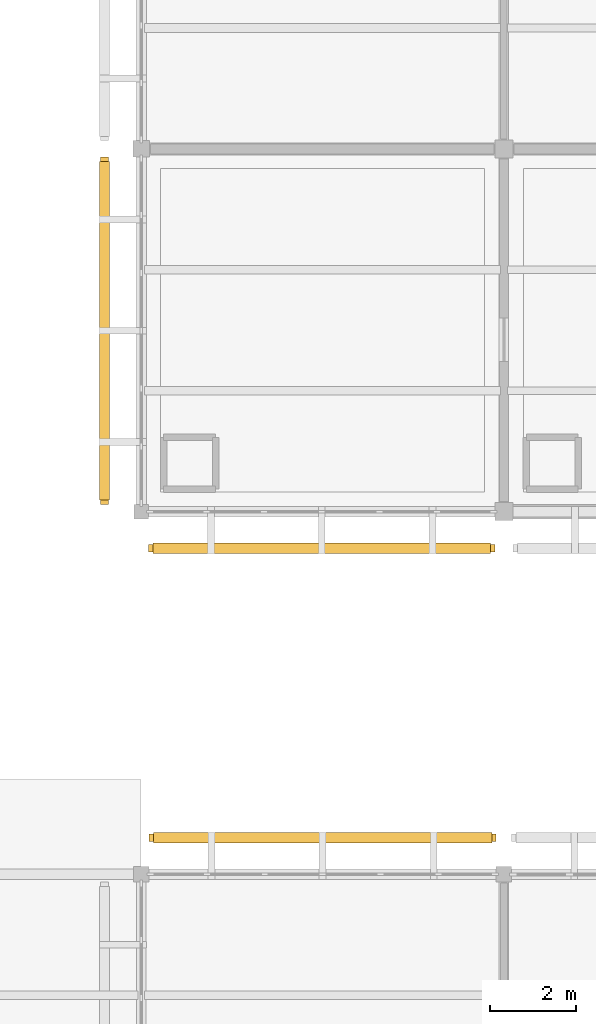
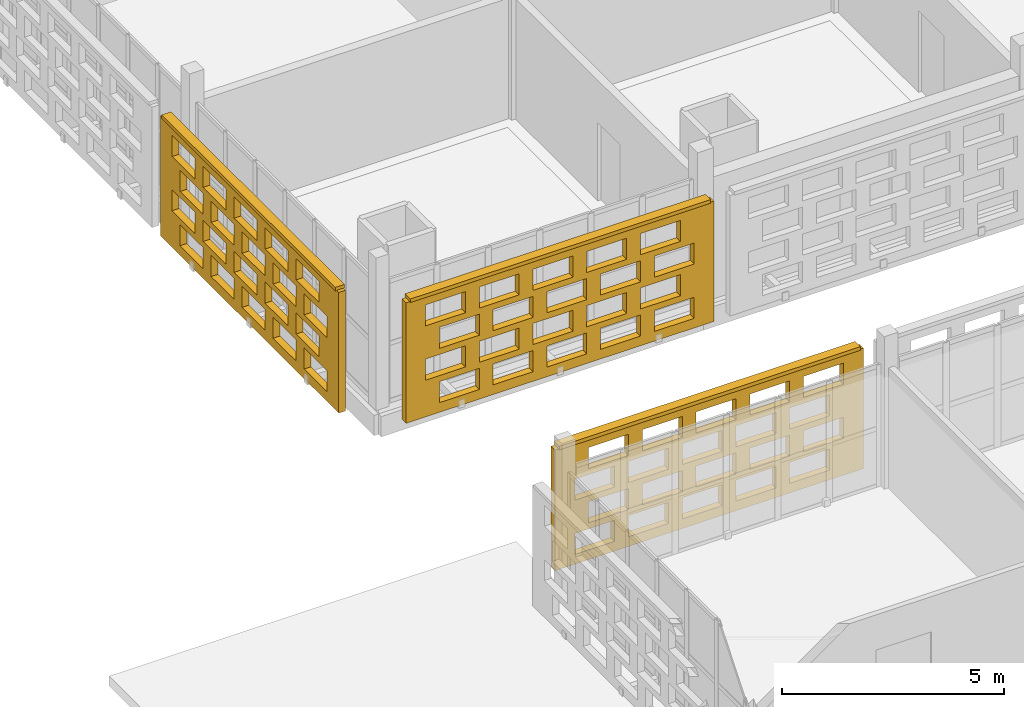
# One storey, part 155 of 166: 3 coverings, 3 shading devices, 60 openings.
"""IFC4 building model written with IfcOpenShell, lengths in metres."""

from ifc_helpers import new_model, si_unit, direction, frame, frame_2d, origin, origin_2d, place, context, subcontext, project, spatial, rectangle, extrude, material, layer, layer_set, type_object, element, save


model = new_model("IFC4")

# Units and contexts
model_context = context("Model", 3, precision=1e-05, world=origin(), true_north=direction((0.0, 1.0)))
body_context = subcontext(model_context, "Body", "Model", "MODEL_VIEW")
ifc_project = project(units=[si_unit("LENGTHUNIT", "METRE"), si_unit("AREAUNIT", "SQUARE_METRE"), si_unit("VOLUMEUNIT", "CUBIC_METRE"), si_unit("PLANEANGLEUNIT", "RADIAN"), si_unit("MASSUNIT", "GRAM", prefix="KILO")], contexts=[model_context])

# Site, building, storey
site_placement = place(None, origin())
site = spatial("IfcSite", under=ifc_project, at=site_placement, CompositionType="ELEMENT")
building_placement = place(site_placement, origin())
building = spatial("IfcBuilding", under=site, at=building_placement, Name="Varnapada Polytechnic", CompositionType="ELEMENT")
storey_placement = place(building_placement, frame((0.0, 0.0, 9.60009765625)))
storey = spatial("IfcBuildingStorey", under=building, at=storey_placement, Name="L02", CompositionType="ELEMENT", Elevation=9.60009765625)

# Covering, openings
ifc_material = material(Name="Earth-toned architectural terracotta screen block", Category="masonry")
ifc_layer_1 = layer(ifc_material, 0.1201171875)
ifc_layer_set_1 = layer_set([ifc_layer_1], Name="Earth-toned architectural terracotta screen block")
covering_type = type_object("IfcCoveringType", Name="Terracotta Screen Cladding CLD-01", PredefinedType="CLADDING", material=ifc_layer_set_1)
covering_1_placement = place(storey_placement, frame((134.580078125, 51.25, 0.0), z_axis=(0.0, 0.0, 1.0), x_axis=(1.0, 0.0, 0.0)))
covering_1 = element("IfcCovering", 1, at=covering_1_placement, inside=storey, type_object=covering_type, Name="L02 perforated terracotta block screen (84)", PredefinedType="CLADDING", context=body_context, shape_type="SweptSolid", body=[
    extrude(rectangle(XDim=8.0400390625, YDim=0.179931640625, at=frame_2d((4.02001953125, 0.0))), origin(), (0.0, 0.0, 1.0), 3.31982421875),
])
opening_1_placement = place(covering_1_placement, frame((0.52001953125, 0.0, 0.265625)))
element("IfcOpeningElement", 2, at=opening_1_placement, cuts=covering_1, Name="Screen perforation TBS-L02-083.1", PredefinedType="OPENING", context=body_context, shape_type="SweptSolid", body=[
    extrude(rectangle(XDim=1.0400390625, YDim=0.5810546875, at=frame_2d((0.52001953125, 0.29052734375))), frame((0.0, 0.099853515625, 0.0), z_axis=(0.0, -1.0, 0.0), x_axis=(1.0, 0.0, 0.0)), (0.0, 0.0, 1.0), 0.199951171875),
])
opening_2_placement = place(covering_1_placement, frame((1.919921875, 0.0, 0.265625)))
element("IfcOpeningElement", 3, at=opening_2_placement, cuts=covering_1, Name="Screen perforation TBS-L02-083.2", PredefinedType="OPENING", context=body_context, shape_type="SweptSolid", body=[
    extrude(rectangle(XDim=1.0400390625, YDim=0.5810546875, at=frame_2d((0.52001953125, 0.29052734375))), frame((0.0, 0.099853515625, 0.0), z_axis=(0.0, -1.0, 0.0), x_axis=(1.0, 0.0, 0.0)), (0.0, 0.0, 1.0), 0.199951171875),
])
opening_3_placement = place(covering_1_placement, frame((3.320068359375, 0.0, 0.265625)))
element("IfcOpeningElement", 4, at=opening_3_placement, cuts=covering_1, Name="Screen perforation TBS-L02-083.3", PredefinedType="OPENING", context=body_context, shape_type="SweptSolid", body=[
    extrude(rectangle(XDim=1.0400390625, YDim=0.5810546875, at=frame_2d((0.52001953125, 0.29052734375))), frame((0.0, 0.099853515625, 0.0), z_axis=(0.0, -1.0, 0.0), x_axis=(1.0, 0.0, 0.0)), (0.0, 0.0, 1.0), 0.199951171875),
])
opening_4_placement = place(covering_1_placement, frame((4.719970703125, 0.0, 0.265625)))
element("IfcOpeningElement", 5, at=opening_4_placement, cuts=covering_1, Name="Screen perforation TBS-L02-083.4", PredefinedType="OPENING", context=body_context, shape_type="SweptSolid", body=[
    extrude(rectangle(XDim=1.0400390625, YDim=0.5810546875, at=frame_2d((0.52001953125, 0.29052734375))), frame((0.0, 0.099853515625, 0.0), z_axis=(0.0, -1.0, 0.0), x_axis=(1.0, 0.0, 0.0)), (0.0, 0.0, 1.0), 0.199951171875),
])
opening_5_placement = place(covering_1_placement, frame((6.1201171875, 0.0, 0.265625)))
element("IfcOpeningElement", 6, at=opening_5_placement, cuts=covering_1, Name="Screen perforation TBS-L02-083.5", PredefinedType="OPENING", context=body_context, shape_type="SweptSolid", body=[
    extrude(rectangle(XDim=1.0400390625, YDim=0.5810546875, at=frame_2d((0.52001953125, 0.29052734375))), frame((0.0, 0.099853515625, 0.0), z_axis=(0.0, -1.0, 0.0), x_axis=(1.0, 0.0, 0.0)), (0.0, 0.0, 1.0), 0.199951171875),
])
opening_6_placement = place(covering_1_placement, frame((0.8798828125, 0.0, 1.0126953125)))
element("IfcOpeningElement", 7, at=opening_6_placement, cuts=covering_1, Name="Screen perforation TBS-L02-083.6", PredefinedType="OPENING", context=body_context, shape_type="SweptSolid", body=[
    extrude(rectangle(XDim=1.0400390625, YDim=0.5810546875, at=frame_2d((0.52001953125, 0.29052734375))), frame((0.0, 0.099853515625, 0.0), z_axis=(0.0, -1.0, 0.0), x_axis=(1.0, 0.0, 0.0)), (0.0, 0.0, 1.0), 0.199951171875),
])
opening_7_placement = place(covering_1_placement, frame((2.280029296875, 0.0, 1.0126953125)))
element("IfcOpeningElement", 8, at=opening_7_placement, cuts=covering_1, Name="Screen perforation TBS-L02-083.7", PredefinedType="OPENING", context=body_context, shape_type="SweptSolid", body=[
    extrude(rectangle(XDim=1.0400390625, YDim=0.5810546875, at=frame_2d((0.52001953125, 0.29052734375))), frame((0.0, 0.099853515625, 0.0), z_axis=(0.0, -1.0, 0.0), x_axis=(1.0, 0.0, 0.0)), (0.0, 0.0, 1.0), 0.199951171875),
])
opening_8_placement = place(covering_1_placement, frame((3.679931640625, 0.0, 1.0126953125)))
element("IfcOpeningElement", 9, at=opening_8_placement, cuts=covering_1, Name="Screen perforation TBS-L02-083.8", PredefinedType="OPENING", context=body_context, shape_type="SweptSolid", body=[
    extrude(rectangle(XDim=1.0400390625, YDim=0.5810546875, at=frame_2d((0.52001953125, 0.29052734375))), frame((0.0, 0.099853515625, 0.0), z_axis=(0.0, -1.0, 0.0), x_axis=(1.0, 0.0, 0.0)), (0.0, 0.0, 1.0), 0.199951171875),
])
opening_9_placement = place(covering_1_placement, frame((5.080078125, 0.0, 1.0126953125)))
element("IfcOpeningElement", 10, at=opening_9_placement, cuts=covering_1, Name="Screen perforation TBS-L02-083.9", PredefinedType="OPENING", context=body_context, shape_type="SweptSolid", body=[
    extrude(rectangle(XDim=1.0400390625, YDim=0.5810546875, at=frame_2d((0.52001953125, 0.29052734375))), frame((0.0, 0.099853515625, 0.0), z_axis=(0.0, -1.0, 0.0), x_axis=(1.0, 0.0, 0.0)), (0.0, 0.0, 1.0), 0.199951171875),
])
opening_10_placement = place(covering_1_placement, frame((6.47998046875, 0.0, 1.0126953125)))
element("IfcOpeningElement", 11, at=opening_10_placement, cuts=covering_1, Name="Screen perforation TBS-L02-083.10", PredefinedType="OPENING", context=body_context, shape_type="SweptSolid", body=[
    extrude(rectangle(XDim=1.0400390625, YDim=0.5810546875, at=frame_2d((0.52001953125, 0.29052734375))), frame((0.0, 0.099853515625, 0.0), z_axis=(0.0, -1.0, 0.0), x_axis=(1.0, 0.0, 0.0)), (0.0, 0.0, 1.0), 0.199951171875),
])
opening_11_placement = place(covering_1_placement, frame((0.52001953125, 0.0, 1.759521484375)))
element("IfcOpeningElement", 12, at=opening_11_placement, cuts=covering_1, Name="Screen perforation TBS-L02-083.11", PredefinedType="OPENING", context=body_context, shape_type="SweptSolid", body=[
    extrude(rectangle(XDim=1.0400390625, YDim=0.5810546875, at=frame_2d((0.52001953125, 0.29052734375))), frame((0.0, 0.099853515625, 0.0), z_axis=(0.0, -1.0, 0.0), x_axis=(1.0, 0.0, 0.0)), (0.0, 0.0, 1.0), 0.199951171875),
])
opening_12_placement = place(covering_1_placement, frame((1.919921875, 0.0, 1.759521484375)))
element("IfcOpeningElement", 13, at=opening_12_placement, cuts=covering_1, Name="Screen perforation TBS-L02-083.12", PredefinedType="OPENING", context=body_context, shape_type="SweptSolid", body=[
    extrude(rectangle(XDim=1.0400390625, YDim=0.5810546875, at=frame_2d((0.52001953125, 0.29052734375))), frame((0.0, 0.099853515625, 0.0), z_axis=(0.0, -1.0, 0.0), x_axis=(1.0, 0.0, 0.0)), (0.0, 0.0, 1.0), 0.199951171875),
])
opening_13_placement = place(covering_1_placement, frame((3.320068359375, 0.0, 1.759521484375)))
element("IfcOpeningElement", 14, at=opening_13_placement, cuts=covering_1, Name="Screen perforation TBS-L02-083.13", PredefinedType="OPENING", context=body_context, shape_type="SweptSolid", body=[
    extrude(rectangle(XDim=1.0400390625, YDim=0.5810546875, at=frame_2d((0.52001953125, 0.29052734375))), frame((0.0, 0.099853515625, 0.0), z_axis=(0.0, -1.0, 0.0), x_axis=(1.0, 0.0, 0.0)), (0.0, 0.0, 1.0), 0.199951171875),
])
opening_14_placement = place(covering_1_placement, frame((4.719970703125, 0.0, 1.759521484375)))
element("IfcOpeningElement", 15, at=opening_14_placement, cuts=covering_1, Name="Screen perforation TBS-L02-083.14", PredefinedType="OPENING", context=body_context, shape_type="SweptSolid", body=[
    extrude(rectangle(XDim=1.0400390625, YDim=0.5810546875, at=frame_2d((0.52001953125, 0.29052734375))), frame((0.0, 0.099853515625, 0.0), z_axis=(0.0, -1.0, 0.0), x_axis=(1.0, 0.0, 0.0)), (0.0, 0.0, 1.0), 0.199951171875),
])
opening_15_placement = place(covering_1_placement, frame((6.1201171875, 0.0, 1.759521484375)))
element("IfcOpeningElement", 16, at=opening_15_placement, cuts=covering_1, Name="Screen perforation TBS-L02-083.15", PredefinedType="OPENING", context=body_context, shape_type="SweptSolid", body=[
    extrude(rectangle(XDim=1.0400390625, YDim=0.5810546875, at=frame_2d((0.52001953125, 0.29052734375))), frame((0.0, 0.099853515625, 0.0), z_axis=(0.0, -1.0, 0.0), x_axis=(1.0, 0.0, 0.0)), (0.0, 0.0, 1.0), 0.199951171875),
])
opening_16_placement = place(covering_1_placement, frame((0.8798828125, 0.0, 2.506591796875)))
element("IfcOpeningElement", 17, at=opening_16_placement, cuts=covering_1, Name="Screen perforation TBS-L02-083.16", PredefinedType="OPENING", context=body_context, shape_type="SweptSolid", body=[
    extrude(rectangle(XDim=1.0400390625, YDim=0.5810546875, at=frame_2d((0.52001953125, 0.29052734375))), frame((0.0, 0.099853515625, 0.0), z_axis=(0.0, -1.0, 0.0), x_axis=(1.0, 0.0, 0.0)), (0.0, 0.0, 1.0), 0.199951171875),
])
opening_17_placement = place(covering_1_placement, frame((2.280029296875, 0.0, 2.506591796875)))
element("IfcOpeningElement", 18, at=opening_17_placement, cuts=covering_1, Name="Screen perforation TBS-L02-083.17", PredefinedType="OPENING", context=body_context, shape_type="SweptSolid", body=[
    extrude(rectangle(XDim=1.0400390625, YDim=0.5810546875, at=frame_2d((0.52001953125, 0.29052734375))), frame((0.0, 0.099853515625, 0.0), z_axis=(0.0, -1.0, 0.0), x_axis=(1.0, 0.0, 0.0)), (0.0, 0.0, 1.0), 0.199951171875),
])
opening_18_placement = place(covering_1_placement, frame((3.679931640625, 0.0, 2.506591796875)))
element("IfcOpeningElement", 19, at=opening_18_placement, cuts=covering_1, Name="Screen perforation TBS-L02-083.18", PredefinedType="OPENING", context=body_context, shape_type="SweptSolid", body=[
    extrude(rectangle(XDim=1.0400390625, YDim=0.5810546875, at=frame_2d((0.52001953125, 0.29052734375))), frame((0.0, 0.099853515625, 0.0), z_axis=(0.0, -1.0, 0.0), x_axis=(1.0, 0.0, 0.0)), (0.0, 0.0, 1.0), 0.199951171875),
])
opening_19_placement = place(covering_1_placement, frame((5.080078125, 0.0, 2.506591796875)))
element("IfcOpeningElement", 20, at=opening_19_placement, cuts=covering_1, Name="Screen perforation TBS-L02-083.19", PredefinedType="OPENING", context=body_context, shape_type="SweptSolid", body=[
    extrude(rectangle(XDim=1.0400390625, YDim=0.5810546875, at=frame_2d((0.52001953125, 0.29052734375))), frame((0.0, 0.099853515625, 0.0), z_axis=(0.0, -1.0, 0.0), x_axis=(1.0, 0.0, 0.0)), (0.0, 0.0, 1.0), 0.199951171875),
])
opening_20_placement = place(covering_1_placement, frame((6.47998046875, 0.0, 2.506591796875)))
element("IfcOpeningElement", 21, at=opening_20_placement, cuts=covering_1, Name="Screen perforation TBS-L02-083.20", PredefinedType="OPENING", context=body_context, shape_type="SweptSolid", body=[
    extrude(rectangle(XDim=1.0400390625, YDim=0.5810546875, at=frame_2d((0.52001953125, 0.29052734375))), frame((0.0, 0.099853515625, 0.0), z_axis=(0.0, -1.0, 0.0), x_axis=(1.0, 0.0, 0.0)), (0.0, 0.0, 1.0), 0.199951171875),
])

covering_2_placement = place(storey_placement, frame((142.590087890625, 57.949951171875, 0.0), z_axis=(0.0, 0.0, 1.0), x_axis=(-1.0, 0.0, 0.0)))
covering_2 = element("IfcCovering", 22, at=covering_2_placement, inside=storey, type_object=covering_type, Name="L02 perforated terracotta block screen (86)", PredefinedType="CLADDING", context=body_context, shape_type="SweptSolid", body=[
    extrude(rectangle(XDim=8.02001953125, YDim=0.179931640625, at=frame_2d((4.010009765625, 0.0))), origin(), (0.0, 0.0, 1.0), 3.31982421875),
])
opening_21_placement = place(covering_2_placement, frame((0.510009765625, 0.0, 0.265625)))
element("IfcOpeningElement", 23, at=opening_21_placement, cuts=covering_2, Name="Screen perforation TBS-L02-085.1", PredefinedType="OPENING", context=body_context, shape_type="SweptSolid", body=[
    extrude(rectangle(XDim=1.0400390625, YDim=0.5810546875, at=frame_2d((0.52001953125, 0.29052734375))), frame((0.0, 0.099853515625, 0.0), z_axis=(0.0, -1.0, 0.0), x_axis=(1.0, 0.0, 0.0)), (0.0, 0.0, 1.0), 0.199951171875),
])
opening_22_placement = place(covering_2_placement, frame((1.909912109375, 0.0, 0.265625)))
element("IfcOpeningElement", 24, at=opening_22_placement, cuts=covering_2, Name="Screen perforation TBS-L02-085.2", PredefinedType="OPENING", context=body_context, shape_type="SweptSolid", body=[
    extrude(rectangle(XDim=1.0400390625, YDim=0.5810546875, at=frame_2d((0.52001953125, 0.29052734375))), frame((0.0, 0.099853515625, 0.0), z_axis=(0.0, -1.0, 0.0), x_axis=(1.0, 0.0, 0.0)), (0.0, 0.0, 1.0), 0.199951171875),
])
opening_23_placement = place(covering_2_placement, frame((3.31005859375, 0.0, 0.265625)))
element("IfcOpeningElement", 25, at=opening_23_placement, cuts=covering_2, Name="Screen perforation TBS-L02-085.3", PredefinedType="OPENING", context=body_context, shape_type="SweptSolid", body=[
    extrude(rectangle(XDim=1.0400390625, YDim=0.5810546875, at=frame_2d((0.52001953125, 0.29052734375))), frame((0.0, 0.099853515625, 0.0), z_axis=(0.0, -1.0, 0.0), x_axis=(1.0, 0.0, 0.0)), (0.0, 0.0, 1.0), 0.199951171875),
])
opening_24_placement = place(covering_2_placement, frame((4.7099609375, 0.0, 0.265625)))
element("IfcOpeningElement", 26, at=opening_24_placement, cuts=covering_2, Name="Screen perforation TBS-L02-085.4", PredefinedType="OPENING", context=body_context, shape_type="SweptSolid", body=[
    extrude(rectangle(XDim=1.0400390625, YDim=0.5810546875, at=frame_2d((0.52001953125, 0.29052734375))), frame((0.0, 0.099853515625, 0.0), z_axis=(0.0, -1.0, 0.0), x_axis=(1.0, 0.0, 0.0)), (0.0, 0.0, 1.0), 0.199951171875),
])
opening_25_placement = place(covering_2_placement, frame((6.110107421875, 0.0, 0.265625)))
element("IfcOpeningElement", 27, at=opening_25_placement, cuts=covering_2, Name="Screen perforation TBS-L02-085.5", PredefinedType="OPENING", context=body_context, shape_type="SweptSolid", body=[
    extrude(rectangle(XDim=1.0400390625, YDim=0.5810546875, at=frame_2d((0.52001953125, 0.29052734375))), frame((0.0, 0.099853515625, 0.0), z_axis=(0.0, -1.0, 0.0), x_axis=(1.0, 0.0, 0.0)), (0.0, 0.0, 1.0), 0.199951171875),
])
opening_26_placement = place(covering_2_placement, frame((0.8701171875, 0.0, 1.0126953125)))
element("IfcOpeningElement", 28, at=opening_26_placement, cuts=covering_2, Name="Screen perforation TBS-L02-085.6", PredefinedType="OPENING", context=body_context, shape_type="SweptSolid", body=[
    extrude(rectangle(XDim=1.0400390625, YDim=0.5810546875, at=frame_2d((0.52001953125, 0.29052734375))), frame((0.0, 0.099853515625, 0.0), z_axis=(0.0, -1.0, 0.0), x_axis=(1.0, 0.0, 0.0)), (0.0, 0.0, 1.0), 0.199951171875),
])
opening_27_placement = place(covering_2_placement, frame((2.27001953125, 0.0, 1.0126953125)))
element("IfcOpeningElement", 29, at=opening_27_placement, cuts=covering_2, Name="Screen perforation TBS-L02-085.7", PredefinedType="OPENING", context=body_context, shape_type="SweptSolid", body=[
    extrude(rectangle(XDim=1.0400390625, YDim=0.5810546875, at=frame_2d((0.52001953125, 0.29052734375))), frame((0.0, 0.099853515625, 0.0), z_axis=(0.0, -1.0, 0.0), x_axis=(1.0, 0.0, 0.0)), (0.0, 0.0, 1.0), 0.199951171875),
])
opening_28_placement = place(covering_2_placement, frame((3.669921875, 0.0, 1.0126953125)))
element("IfcOpeningElement", 30, at=opening_28_placement, cuts=covering_2, Name="Screen perforation TBS-L02-085.8", PredefinedType="OPENING", context=body_context, shape_type="SweptSolid", body=[
    extrude(rectangle(XDim=1.0400390625, YDim=0.5810546875, at=frame_2d((0.52001953125, 0.29052734375))), frame((0.0, 0.099853515625, 0.0), z_axis=(0.0, -1.0, 0.0), x_axis=(1.0, 0.0, 0.0)), (0.0, 0.0, 1.0), 0.199951171875),
])
opening_29_placement = place(covering_2_placement, frame((5.070068359375, 0.0, 1.0126953125)))
element("IfcOpeningElement", 31, at=opening_29_placement, cuts=covering_2, Name="Screen perforation TBS-L02-085.9", PredefinedType="OPENING", context=body_context, shape_type="SweptSolid", body=[
    extrude(rectangle(XDim=1.0400390625, YDim=0.5810546875, at=frame_2d((0.52001953125, 0.29052734375))), frame((0.0, 0.099853515625, 0.0), z_axis=(0.0, -1.0, 0.0), x_axis=(1.0, 0.0, 0.0)), (0.0, 0.0, 1.0), 0.199951171875),
])
opening_30_placement = place(covering_2_placement, frame((6.469970703125, 0.0, 1.0126953125)))
element("IfcOpeningElement", 32, at=opening_30_placement, cuts=covering_2, Name="Screen perforation TBS-L02-085.10", PredefinedType="OPENING", context=body_context, shape_type="SweptSolid", body=[
    extrude(rectangle(XDim=1.0400390625, YDim=0.5810546875, at=frame_2d((0.52001953125, 0.29052734375))), frame((0.0, 0.099853515625, 0.0), z_axis=(0.0, -1.0, 0.0), x_axis=(1.0, 0.0, 0.0)), (0.0, 0.0, 1.0), 0.199951171875),
])
opening_31_placement = place(covering_2_placement, frame((0.510009765625, 0.0, 1.759521484375)))
element("IfcOpeningElement", 33, at=opening_31_placement, cuts=covering_2, Name="Screen perforation TBS-L02-085.11", PredefinedType="OPENING", context=body_context, shape_type="SweptSolid", body=[
    extrude(rectangle(XDim=1.0400390625, YDim=0.5810546875, at=frame_2d((0.52001953125, 0.29052734375))), frame((0.0, 0.099853515625, 0.0), z_axis=(0.0, -1.0, 0.0), x_axis=(1.0, 0.0, 0.0)), (0.0, 0.0, 1.0), 0.199951171875),
])
opening_32_placement = place(covering_2_placement, frame((1.909912109375, 0.0, 1.759521484375)))
element("IfcOpeningElement", 34, at=opening_32_placement, cuts=covering_2, Name="Screen perforation TBS-L02-085.12", PredefinedType="OPENING", context=body_context, shape_type="SweptSolid", body=[
    extrude(rectangle(XDim=1.0400390625, YDim=0.5810546875, at=frame_2d((0.52001953125, 0.29052734375))), frame((0.0, 0.099853515625, 0.0), z_axis=(0.0, -1.0, 0.0), x_axis=(1.0, 0.0, 0.0)), (0.0, 0.0, 1.0), 0.199951171875),
])
opening_33_placement = place(covering_2_placement, frame((3.31005859375, 0.0, 1.759521484375)))
element("IfcOpeningElement", 35, at=opening_33_placement, cuts=covering_2, Name="Screen perforation TBS-L02-085.13", PredefinedType="OPENING", context=body_context, shape_type="SweptSolid", body=[
    extrude(rectangle(XDim=1.0400390625, YDim=0.5810546875, at=frame_2d((0.52001953125, 0.29052734375))), frame((0.0, 0.099853515625, 0.0), z_axis=(0.0, -1.0, 0.0), x_axis=(1.0, 0.0, 0.0)), (0.0, 0.0, 1.0), 0.199951171875),
])
opening_34_placement = place(covering_2_placement, frame((4.7099609375, 0.0, 1.759521484375)))
element("IfcOpeningElement", 36, at=opening_34_placement, cuts=covering_2, Name="Screen perforation TBS-L02-085.14", PredefinedType="OPENING", context=body_context, shape_type="SweptSolid", body=[
    extrude(rectangle(XDim=1.0400390625, YDim=0.5810546875, at=frame_2d((0.52001953125, 0.29052734375))), frame((0.0, 0.099853515625, 0.0), z_axis=(0.0, -1.0, 0.0), x_axis=(1.0, 0.0, 0.0)), (0.0, 0.0, 1.0), 0.199951171875),
])
opening_35_placement = place(covering_2_placement, frame((6.110107421875, 0.0, 1.759521484375)))
element("IfcOpeningElement", 37, at=opening_35_placement, cuts=covering_2, Name="Screen perforation TBS-L02-085.15", PredefinedType="OPENING", context=body_context, shape_type="SweptSolid", body=[
    extrude(rectangle(XDim=1.0400390625, YDim=0.5810546875, at=frame_2d((0.52001953125, 0.29052734375))), frame((0.0, 0.099853515625, 0.0), z_axis=(0.0, -1.0, 0.0), x_axis=(1.0, 0.0, 0.0)), (0.0, 0.0, 1.0), 0.199951171875),
])
opening_36_placement = place(covering_2_placement, frame((0.8701171875, 0.0, 2.506591796875)))
element("IfcOpeningElement", 38, at=opening_36_placement, cuts=covering_2, Name="Screen perforation TBS-L02-085.16", PredefinedType="OPENING", context=body_context, shape_type="SweptSolid", body=[
    extrude(rectangle(XDim=1.0400390625, YDim=0.5810546875, at=frame_2d((0.52001953125, 0.29052734375))), frame((0.0, 0.099853515625, 0.0), z_axis=(0.0, -1.0, 0.0), x_axis=(1.0, 0.0, 0.0)), (0.0, 0.0, 1.0), 0.199951171875),
])
opening_37_placement = place(covering_2_placement, frame((2.27001953125, 0.0, 2.506591796875)))
element("IfcOpeningElement", 39, at=opening_37_placement, cuts=covering_2, Name="Screen perforation TBS-L02-085.17", PredefinedType="OPENING", context=body_context, shape_type="SweptSolid", body=[
    extrude(rectangle(XDim=1.0400390625, YDim=0.5810546875, at=frame_2d((0.52001953125, 0.29052734375))), frame((0.0, 0.099853515625, 0.0), z_axis=(0.0, -1.0, 0.0), x_axis=(1.0, 0.0, 0.0)), (0.0, 0.0, 1.0), 0.199951171875),
])
opening_38_placement = place(covering_2_placement, frame((3.669921875, 0.0, 2.506591796875)))
element("IfcOpeningElement", 40, at=opening_38_placement, cuts=covering_2, Name="Screen perforation TBS-L02-085.18", PredefinedType="OPENING", context=body_context, shape_type="SweptSolid", body=[
    extrude(rectangle(XDim=1.0400390625, YDim=0.5810546875, at=frame_2d((0.52001953125, 0.29052734375))), frame((0.0, 0.099853515625, 0.0), z_axis=(0.0, -1.0, 0.0), x_axis=(1.0, 0.0, 0.0)), (0.0, 0.0, 1.0), 0.199951171875),
])
opening_39_placement = place(covering_2_placement, frame((5.070068359375, 0.0, 2.506591796875)))
element("IfcOpeningElement", 41, at=opening_39_placement, cuts=covering_2, Name="Screen perforation TBS-L02-085.19", PredefinedType="OPENING", context=body_context, shape_type="SweptSolid", body=[
    extrude(rectangle(XDim=1.0400390625, YDim=0.5810546875, at=frame_2d((0.52001953125, 0.29052734375))), frame((0.0, 0.099853515625, 0.0), z_axis=(0.0, -1.0, 0.0), x_axis=(1.0, 0.0, 0.0)), (0.0, 0.0, 1.0), 0.199951171875),
])
opening_40_placement = place(covering_2_placement, frame((6.469970703125, 0.0, 2.506591796875)))
element("IfcOpeningElement", 42, at=opening_40_placement, cuts=covering_2, Name="Screen perforation TBS-L02-085.20", PredefinedType="OPENING", context=body_context, shape_type="SweptSolid", body=[
    extrude(rectangle(XDim=1.0400390625, YDim=0.5810546875, at=frame_2d((0.52001953125, 0.29052734375))), frame((0.0, 0.099853515625, 0.0), z_axis=(0.0, -1.0, 0.0), x_axis=(1.0, 0.0, 0.0)), (0.0, 0.0, 1.0), 0.199951171875),
])

covering_3_placement = place(storey_placement, frame((133.550048828125, 58.969970703125, 0.0), z_axis=(0.0, 0.0, 1.0), x_axis=(0.0, 1.0, 0.0)))
covering_3 = element("IfcCovering", 43, at=covering_3_placement, inside=storey, type_object=covering_type, Name="L02 perforated terracotta block screen (87)", PredefinedType="CLADDING", context=body_context, shape_type="SweptSolid", body=[
    extrude(rectangle(XDim=8.0400390625, YDim=0.179931640625, at=frame_2d((4.02001953125, 0.0))), origin(), (0.0, 0.0, 1.0), 3.31982421875),
])
opening_41_placement = place(covering_3_placement, frame((0.52001953125, 0.0, 0.265625)))
element("IfcOpeningElement", 44, at=opening_41_placement, cuts=covering_3, Name="Screen perforation TBS-L02-086.1", PredefinedType="OPENING", context=body_context, shape_type="SweptSolid", body=[
    extrude(rectangle(XDim=1.0400390625, YDim=0.5810546875, at=frame_2d((0.52001953125, 0.29052734375))), frame((0.0, 0.099853515625, 0.0), z_axis=(0.0, -1.0, 0.0), x_axis=(1.0, 0.0, 0.0)), (0.0, 0.0, 1.0), 0.199951171875),
])
opening_42_placement = place(covering_3_placement, frame((1.919921875, 0.0, 0.265625)))
element("IfcOpeningElement", 45, at=opening_42_placement, cuts=covering_3, Name="Screen perforation TBS-L02-086.2", PredefinedType="OPENING", context=body_context, shape_type="SweptSolid", body=[
    extrude(rectangle(XDim=1.0400390625, YDim=0.5810546875, at=frame_2d((0.52001953125, 0.29052734375))), frame((0.0, 0.099853515625, 0.0), z_axis=(0.0, -1.0, 0.0), x_axis=(1.0, 0.0, 0.0)), (0.0, 0.0, 1.0), 0.199951171875),
])
opening_43_placement = place(covering_3_placement, frame((3.320068359375, 0.0, 0.265625)))
element("IfcOpeningElement", 46, at=opening_43_placement, cuts=covering_3, Name="Screen perforation TBS-L02-086.3", PredefinedType="OPENING", context=body_context, shape_type="SweptSolid", body=[
    extrude(rectangle(XDim=1.0400390625, YDim=0.5810546875, at=frame_2d((0.52001953125, 0.29052734375))), frame((0.0, 0.099853515625, 0.0), z_axis=(0.0, -1.0, 0.0), x_axis=(1.0, 0.0, 0.0)), (0.0, 0.0, 1.0), 0.199951171875),
])
opening_44_placement = place(covering_3_placement, frame((4.719970703125, 0.0, 0.265625)))
element("IfcOpeningElement", 47, at=opening_44_placement, cuts=covering_3, Name="Screen perforation TBS-L02-086.4", PredefinedType="OPENING", context=body_context, shape_type="SweptSolid", body=[
    extrude(rectangle(XDim=1.0400390625, YDim=0.5810546875, at=frame_2d((0.52001953125, 0.29052734375))), frame((0.0, 0.099853515625, 0.0), z_axis=(0.0, -1.0, 0.0), x_axis=(1.0, 0.0, 0.0)), (0.0, 0.0, 1.0), 0.199951171875),
])
opening_45_placement = place(covering_3_placement, frame((6.1201171875, 0.0, 0.265625)))
element("IfcOpeningElement", 48, at=opening_45_placement, cuts=covering_3, Name="Screen perforation TBS-L02-086.5", PredefinedType="OPENING", context=body_context, shape_type="SweptSolid", body=[
    extrude(rectangle(XDim=1.0400390625, YDim=0.5810546875, at=frame_2d((0.52001953125, 0.29052734375))), frame((0.0, 0.099853515625, 0.0), z_axis=(0.0, -1.0, 0.0), x_axis=(1.0, 0.0, 0.0)), (0.0, 0.0, 1.0), 0.199951171875),
])
opening_46_placement = place(covering_3_placement, frame((0.8798828125, 0.0, 1.0126953125)))
element("IfcOpeningElement", 49, at=opening_46_placement, cuts=covering_3, Name="Screen perforation TBS-L02-086.6", PredefinedType="OPENING", context=body_context, shape_type="SweptSolid", body=[
    extrude(rectangle(XDim=1.0400390625, YDim=0.5810546875, at=frame_2d((0.52001953125, 0.29052734375))), frame((0.0, 0.099853515625, 0.0), z_axis=(0.0, -1.0, 0.0), x_axis=(1.0, 0.0, 0.0)), (0.0, 0.0, 1.0), 0.199951171875),
])
opening_47_placement = place(covering_3_placement, frame((2.280029296875, 0.0, 1.0126953125)))
element("IfcOpeningElement", 50, at=opening_47_placement, cuts=covering_3, Name="Screen perforation TBS-L02-086.7", PredefinedType="OPENING", context=body_context, shape_type="SweptSolid", body=[
    extrude(rectangle(XDim=1.0400390625, YDim=0.5810546875, at=frame_2d((0.52001953125, 0.29052734375))), frame((0.0, 0.099853515625, 0.0), z_axis=(0.0, -1.0, 0.0), x_axis=(1.0, 0.0, 0.0)), (0.0, 0.0, 1.0), 0.199951171875),
])
opening_48_placement = place(covering_3_placement, frame((3.679931640625, 0.0, 1.0126953125)))
element("IfcOpeningElement", 51, at=opening_48_placement, cuts=covering_3, Name="Screen perforation TBS-L02-086.8", PredefinedType="OPENING", context=body_context, shape_type="SweptSolid", body=[
    extrude(rectangle(XDim=1.0400390625, YDim=0.5810546875, at=frame_2d((0.52001953125, 0.29052734375))), frame((0.0, 0.099853515625, 0.0), z_axis=(0.0, -1.0, 0.0), x_axis=(1.0, 0.0, 0.0)), (0.0, 0.0, 1.0), 0.199951171875),
])
opening_49_placement = place(covering_3_placement, frame((5.080078125, 0.0, 1.0126953125)))
element("IfcOpeningElement", 52, at=opening_49_placement, cuts=covering_3, Name="Screen perforation TBS-L02-086.9", PredefinedType="OPENING", context=body_context, shape_type="SweptSolid", body=[
    extrude(rectangle(XDim=1.0400390625, YDim=0.5810546875, at=frame_2d((0.52001953125, 0.29052734375))), frame((0.0, 0.099853515625, 0.0), z_axis=(0.0, -1.0, 0.0), x_axis=(1.0, 0.0, 0.0)), (0.0, 0.0, 1.0), 0.199951171875),
])
opening_50_placement = place(covering_3_placement, frame((6.47998046875, 0.0, 1.0126953125)))
element("IfcOpeningElement", 53, at=opening_50_placement, cuts=covering_3, Name="Screen perforation TBS-L02-086.10", PredefinedType="OPENING", context=body_context, shape_type="SweptSolid", body=[
    extrude(rectangle(XDim=1.0400390625, YDim=0.5810546875, at=frame_2d((0.52001953125, 0.29052734375))), frame((0.0, 0.099853515625, 0.0), z_axis=(0.0, -1.0, 0.0), x_axis=(1.0, 0.0, 0.0)), (0.0, 0.0, 1.0), 0.199951171875),
])
opening_51_placement = place(covering_3_placement, frame((0.52001953125, 0.0, 1.759521484375)))
element("IfcOpeningElement", 54, at=opening_51_placement, cuts=covering_3, Name="Screen perforation TBS-L02-086.11", PredefinedType="OPENING", context=body_context, shape_type="SweptSolid", body=[
    extrude(rectangle(XDim=1.0400390625, YDim=0.5810546875, at=frame_2d((0.52001953125, 0.29052734375))), frame((0.0, 0.099853515625, 0.0), z_axis=(0.0, -1.0, 0.0), x_axis=(1.0, 0.0, 0.0)), (0.0, 0.0, 1.0), 0.199951171875),
])
opening_52_placement = place(covering_3_placement, frame((1.919921875, 0.0, 1.759521484375)))
element("IfcOpeningElement", 55, at=opening_52_placement, cuts=covering_3, Name="Screen perforation TBS-L02-086.12", PredefinedType="OPENING", context=body_context, shape_type="SweptSolid", body=[
    extrude(rectangle(XDim=1.0400390625, YDim=0.5810546875, at=frame_2d((0.52001953125, 0.29052734375))), frame((0.0, 0.099853515625, 0.0), z_axis=(0.0, -1.0, 0.0), x_axis=(1.0, 0.0, 0.0)), (0.0, 0.0, 1.0), 0.199951171875),
])
opening_53_placement = place(covering_3_placement, frame((3.320068359375, 0.0, 1.759521484375)))
element("IfcOpeningElement", 56, at=opening_53_placement, cuts=covering_3, Name="Screen perforation TBS-L02-086.13", PredefinedType="OPENING", context=body_context, shape_type="SweptSolid", body=[
    extrude(rectangle(XDim=1.0400390625, YDim=0.5810546875, at=frame_2d((0.52001953125, 0.29052734375))), frame((0.0, 0.099853515625, 0.0), z_axis=(0.0, -1.0, 0.0), x_axis=(1.0, 0.0, 0.0)), (0.0, 0.0, 1.0), 0.199951171875),
])
opening_54_placement = place(covering_3_placement, frame((4.719970703125, 0.0, 1.759521484375)))
element("IfcOpeningElement", 57, at=opening_54_placement, cuts=covering_3, Name="Screen perforation TBS-L02-086.14", PredefinedType="OPENING", context=body_context, shape_type="SweptSolid", body=[
    extrude(rectangle(XDim=1.0400390625, YDim=0.5810546875, at=frame_2d((0.52001953125, 0.29052734375))), frame((0.0, 0.099853515625, 0.0), z_axis=(0.0, -1.0, 0.0), x_axis=(1.0, 0.0, 0.0)), (0.0, 0.0, 1.0), 0.199951171875),
])
opening_55_placement = place(covering_3_placement, frame((6.1201171875, 0.0, 1.759521484375)))
element("IfcOpeningElement", 58, at=opening_55_placement, cuts=covering_3, Name="Screen perforation TBS-L02-086.15", PredefinedType="OPENING", context=body_context, shape_type="SweptSolid", body=[
    extrude(rectangle(XDim=1.0400390625, YDim=0.5810546875, at=frame_2d((0.52001953125, 0.29052734375))), frame((0.0, 0.099853515625, 0.0), z_axis=(0.0, -1.0, 0.0), x_axis=(1.0, 0.0, 0.0)), (0.0, 0.0, 1.0), 0.199951171875),
])
opening_56_placement = place(covering_3_placement, frame((0.8798828125, 0.0, 2.506591796875)))
element("IfcOpeningElement", 59, at=opening_56_placement, cuts=covering_3, Name="Screen perforation TBS-L02-086.16", PredefinedType="OPENING", context=body_context, shape_type="SweptSolid", body=[
    extrude(rectangle(XDim=1.0400390625, YDim=0.5810546875, at=frame_2d((0.52001953125, 0.29052734375))), frame((0.0, 0.099853515625, 0.0), z_axis=(0.0, -1.0, 0.0), x_axis=(1.0, 0.0, 0.0)), (0.0, 0.0, 1.0), 0.199951171875),
])
opening_57_placement = place(covering_3_placement, frame((2.280029296875, 0.0, 2.506591796875)))
element("IfcOpeningElement", 60, at=opening_57_placement, cuts=covering_3, Name="Screen perforation TBS-L02-086.17", PredefinedType="OPENING", context=body_context, shape_type="SweptSolid", body=[
    extrude(rectangle(XDim=1.0400390625, YDim=0.5810546875, at=frame_2d((0.52001953125, 0.29052734375))), frame((0.0, 0.099853515625, 0.0), z_axis=(0.0, -1.0, 0.0), x_axis=(1.0, 0.0, 0.0)), (0.0, 0.0, 1.0), 0.199951171875),
])
opening_58_placement = place(covering_3_placement, frame((3.679931640625, 0.0, 2.506591796875)))
element("IfcOpeningElement", 61, at=opening_58_placement, cuts=covering_3, Name="Screen perforation TBS-L02-086.18", PredefinedType="OPENING", context=body_context, shape_type="SweptSolid", body=[
    extrude(rectangle(XDim=1.0400390625, YDim=0.5810546875, at=frame_2d((0.52001953125, 0.29052734375))), frame((0.0, 0.099853515625, 0.0), z_axis=(0.0, -1.0, 0.0), x_axis=(1.0, 0.0, 0.0)), (0.0, 0.0, 1.0), 0.199951171875),
])
opening_59_placement = place(covering_3_placement, frame((5.080078125, 0.0, 2.506591796875)))
element("IfcOpeningElement", 62, at=opening_59_placement, cuts=covering_3, Name="Screen perforation TBS-L02-086.19", PredefinedType="OPENING", context=body_context, shape_type="SweptSolid", body=[
    extrude(rectangle(XDim=1.0400390625, YDim=0.5810546875, at=frame_2d((0.52001953125, 0.29052734375))), frame((0.0, 0.099853515625, 0.0), z_axis=(0.0, -1.0, 0.0), x_axis=(1.0, 0.0, 0.0)), (0.0, 0.0, 1.0), 0.199951171875),
])
opening_60_placement = place(covering_3_placement, frame((6.47998046875, 0.0, 2.506591796875)))
element("IfcOpeningElement", 63, at=opening_60_placement, cuts=covering_3, Name="Screen perforation TBS-L02-086.20", PredefinedType="OPENING", context=body_context, shape_type="SweptSolid", body=[
    extrude(rectangle(XDim=1.0400390625, YDim=0.5810546875, at=frame_2d((0.52001953125, 0.29052734375))), frame((0.0, 0.099853515625, 0.0), z_axis=(0.0, -1.0, 0.0), x_axis=(1.0, 0.0, 0.0)), (0.0, 0.0, 1.0), 0.199951171875),
])

# Shading devices
ifc_layer_2 = layer(ifc_material, 0.179931640625)
ifc_layer_set_2 = layer_set([ifc_layer_2], Name="Earth-toned architectural terracotta screen block")
shading_device_type = type_object("IfcShadingDeviceType", Name="Terracotta Screen SCR-01", PredefinedType="USERDEFINED", material=ifc_layer_set_2)
shading_device_1_placement = place(storey_placement, frame((138.60009765625, 51.25, 3.309814453125), z_axis=(0.0, 0.0, 1.0), x_axis=(1.0, 0.0, 0.0)))
element("IfcShadingDevice", 64, at=shading_device_1_placement, inside=storey, type_object=shading_device_type, Name="L02 perforated terracotta screen hood 308", ObjectType="SCREEN", PredefinedType="USERDEFINED", context=body_context, shape_type="SweptSolid", body=[
    extrude(rectangle(XDim=7.840087890625, YDim=0.239990234375, at=origin_2d()), origin(), (0.0, 0.0, 1.0), 0.10009765625),
])
shading_device_2_placement = place(storey_placement, frame((138.580078125, 57.949951171875, 3.309814453125), z_axis=(0.0, 0.0, 1.0), x_axis=(-1.0, 0.0, 0.0)))
element("IfcShadingDevice", 65, at=shading_device_2_placement, inside=storey, type_object=shading_device_type, Name="L02 perforated terracotta screen hood 310", ObjectType="SCREEN", PredefinedType="USERDEFINED", context=body_context, shape_type="SweptSolid", body=[
    extrude(rectangle(XDim=7.820068359375, YDim=0.239990234375, at=origin_2d()), origin(), (0.0, 0.0, 1.0), 0.10009765625),
])
shading_device_3_placement = place(storey_placement, frame((133.550048828125, 62.989990234375, 3.309814453125), z_axis=(0.0, 0.0, 1.0), x_axis=(0.0, 1.0, 0.0)))
element("IfcShadingDevice", 66, at=shading_device_3_placement, inside=storey, type_object=shading_device_type, Name="L02 perforated terracotta screen hood 311", ObjectType="SCREEN", PredefinedType="USERDEFINED", context=body_context, shape_type="SweptSolid", body=[
    extrude(rectangle(XDim=7.840087890625, YDim=0.239990234375, at=origin_2d()), origin(), (0.0, 0.0, 1.0), 0.10009765625),
])

save(model, "model.ifc")
